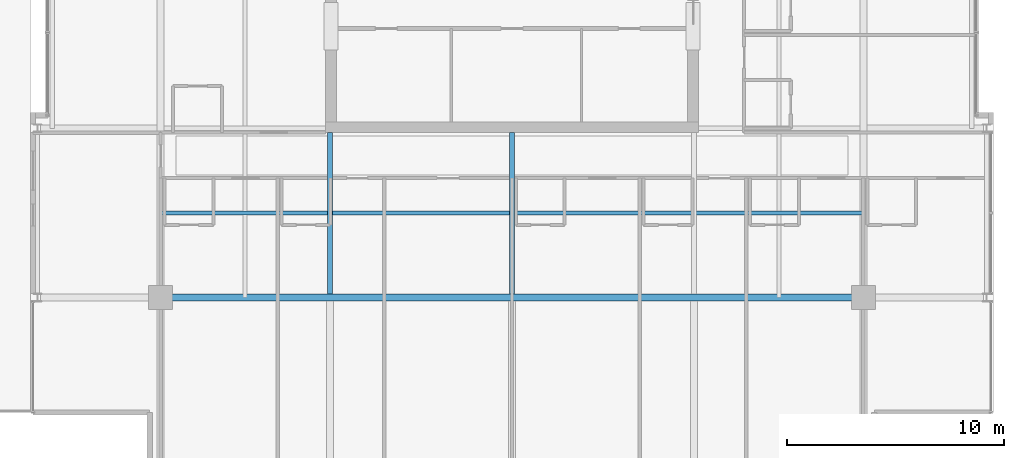
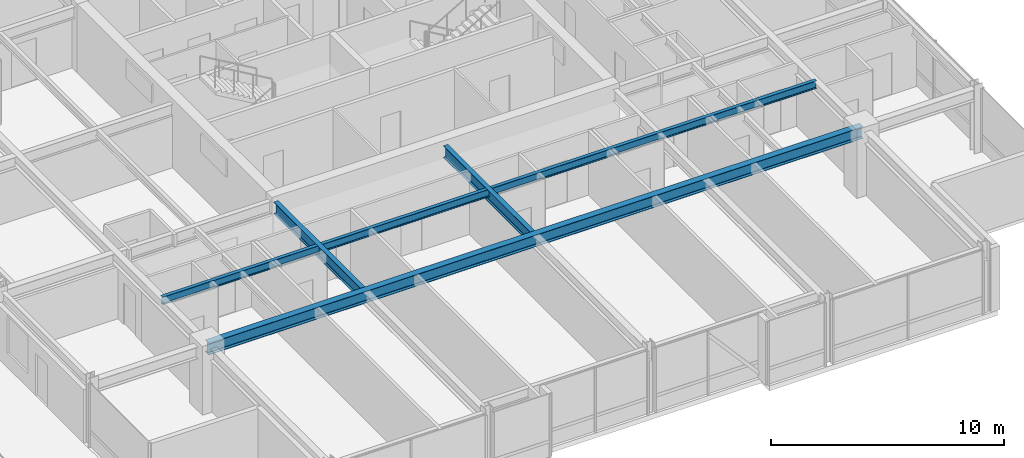
# One storey, part 6 of 32: 4 beams.
"""IFC4 building model written with IfcOpenShell, lengths in metres."""

from ifc_helpers import new_model, si_unit, direction, frame, origin, origin_2d, place, context, subcontext, project, spatial, i_section, extrude, material, material_profile, profile_set, type_object, element, save


model = new_model("IFC4")

# Units and contexts
model_context = context("Model", 3, precision=1e-05, world=origin(), true_north=direction((0.0, 1.0)))
body_context = subcontext(model_context, "Body", "Model", "MODEL_VIEW")
ifc_project = project(units=[si_unit("LENGTHUNIT", "METRE"), si_unit("AREAUNIT", "SQUARE_METRE"), si_unit("VOLUMEUNIT", "CUBIC_METRE"), si_unit("PLANEANGLEUNIT", "RADIAN"), si_unit("MASSUNIT", "GRAM", prefix="KILO")], contexts=[model_context])

# Site, building, storey
site_placement = place(None, origin())
site = spatial("IfcSite", under=ifc_project, at=site_placement, CompositionType="ELEMENT")
building_placement = place(site_placement, origin())
building = spatial("IfcBuilding", under=site, at=building_placement, Name="Drelvath Grand Hotel", CompositionType="ELEMENT")
storey_placement = place(building_placement, frame((0.0, 0.0, 205.10009765625)))
storey = spatial("IfcBuildingStorey", under=building, at=storey_placement, Name="L53", CompositionType="ELEMENT", Elevation=205.10009765625)

# Beams
ifc_material = material(Name="Steel ASTM A992 Gr 50", Category="steel")
ifc_material_profile_1 = material_profile(ifc_material, i_section(OverallWidth=0.177734375, OverallDepth=0.40673828125, WebThickness=0.0078125, FlangeThickness=0.0126953125, FilletRadius=0.014892578125, at=origin_2d()), Name="W16X40")
ifc_profile_set_1 = profile_set([ifc_material_profile_1], Name="Steel ASTM A992 Gr 50")
beam_type_1 = type_object("IfcBeamType", Name="Composite Floor Joist W16X40", PredefinedType="JOIST", material=ifc_profile_set_1)
beam_1_placement = place(storey_placement, frame((-16.199951171875, 14.699951171875, 3.136474609375), z_axis=(1.0, 0.0, 0.0), x_axis=(0.0, 1.0, 0.0)))
element("IfcBeam", 1, at=beam_1_placement, inside=storey, type_object=beam_type_1, Name="L53 Floor Joist J1", PredefinedType="JOIST", context=body_context, shape_type="SweptSolid", body=[
    extrude(i_section(OverallWidth=0.177734375, OverallDepth=0.40673828125, WebThickness=0.0078125, FlangeThickness=0.0126953125, FilletRadius=0.014892578125, at=origin_2d()), origin(), (0.0, 0.0, 1.0), 32.39990234375),
])
ifc_material_profile_2 = material_profile(ifc_material, i_section(OverallWidth=0.323974609375, OverallDepth=0.611083984375, WebThickness=0.0126953125, FlangeThickness=0.01904296875, FilletRadius=0.02197265625, at=origin_2d()), Name="W24X104")
ifc_profile_set_2 = profile_set([ifc_material_profile_2], Name="Steel ASTM A992 Gr 50")
beam_type_2 = type_object("IfcBeamType", Name="Primary Floor Girder W24X104", PredefinedType="BEAM", material=ifc_profile_set_2)
beam_2_placement = place(storey_placement, frame((-16.199951171875, 10.800048828125, 3.034423828125), z_axis=(1.0, 0.0, 0.0), x_axis=(0.0, 1.0, 0.0)))
element("IfcBeam", 2, at=beam_2_placement, inside=storey, type_object=beam_type_2, Name="L53 Mega Ring Girder South", PredefinedType="BEAM", context=body_context, shape_type="SweptSolid", body=[
    extrude(i_section(OverallWidth=0.323974609375, OverallDepth=0.611083984375, WebThickness=0.0126953125, FlangeThickness=0.01904296875, FilletRadius=0.02197265625, at=origin_2d()), origin(), (0.0, 0.0, 1.0), 32.39990234375),
])
ifc_material_profile_3 = material_profile(ifc_material, i_section(OverallWidth=0.228271484375, OverallDepth=0.607666015625, WebThickness=0.01123046875, FlangeThickness=0.017333984375, FilletRadius=0.02001953125, at=origin_2d()), Name="W24X76")
ifc_profile_set_3 = profile_set([ifc_material_profile_3], Name="Steel ASTM A992 Gr 50")
beam_type_3 = type_object("IfcBeamType", Name="Primary Floor Girder W24X76", PredefinedType="BEAM", material=ifc_profile_set_3)
for number, where, z_axis, x_axis, name in (
    (3, (-8.39990234375, 10.9619140625, 3.0361328125), (0.0, 1.0, 0.0), (-1.0, 0.0, 0.0), "L53 South Core Tie 4"),
    (4, (0.0, 10.9619140625, 3.0361328125), (0.0, 1.0, 0.0), (-1.0, 0.0, 0.0), "L53 South Core Tie 5"),
):
    element("IfcBeam", number, at=place(storey_placement, frame(where, z_axis=z_axis, x_axis=x_axis)), inside=storey, type_object=beam_type_3, Name=name, PredefinedType="BEAM", context=body_context, shape_type="SweptSolid", body=[
        extrude(i_section(OverallWidth=0.228271484375, OverallDepth=0.607666015625, WebThickness=0.01123046875, FlangeThickness=0.017333984375, FilletRadius=0.02001953125, at=origin_2d()), origin(), (0.0, 0.0, 1.0), 7.43798828125),
    ])

save(model, "model.ifc")
